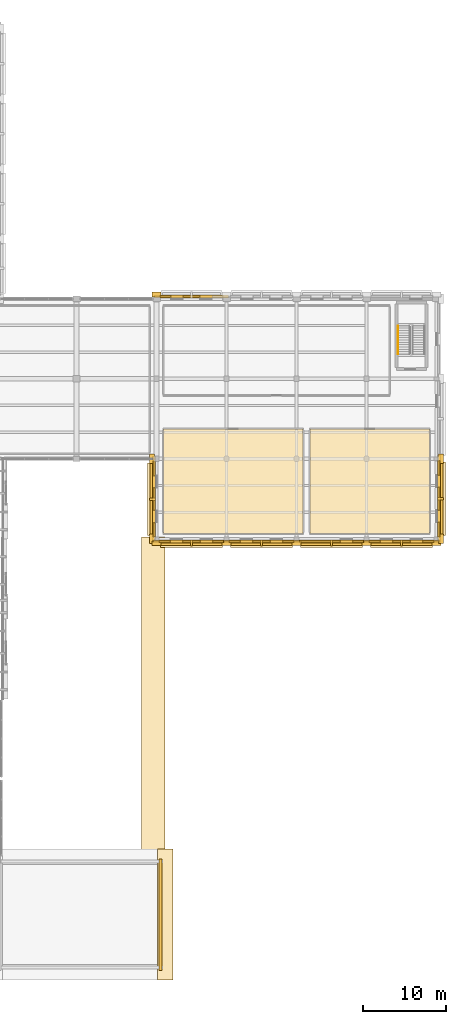
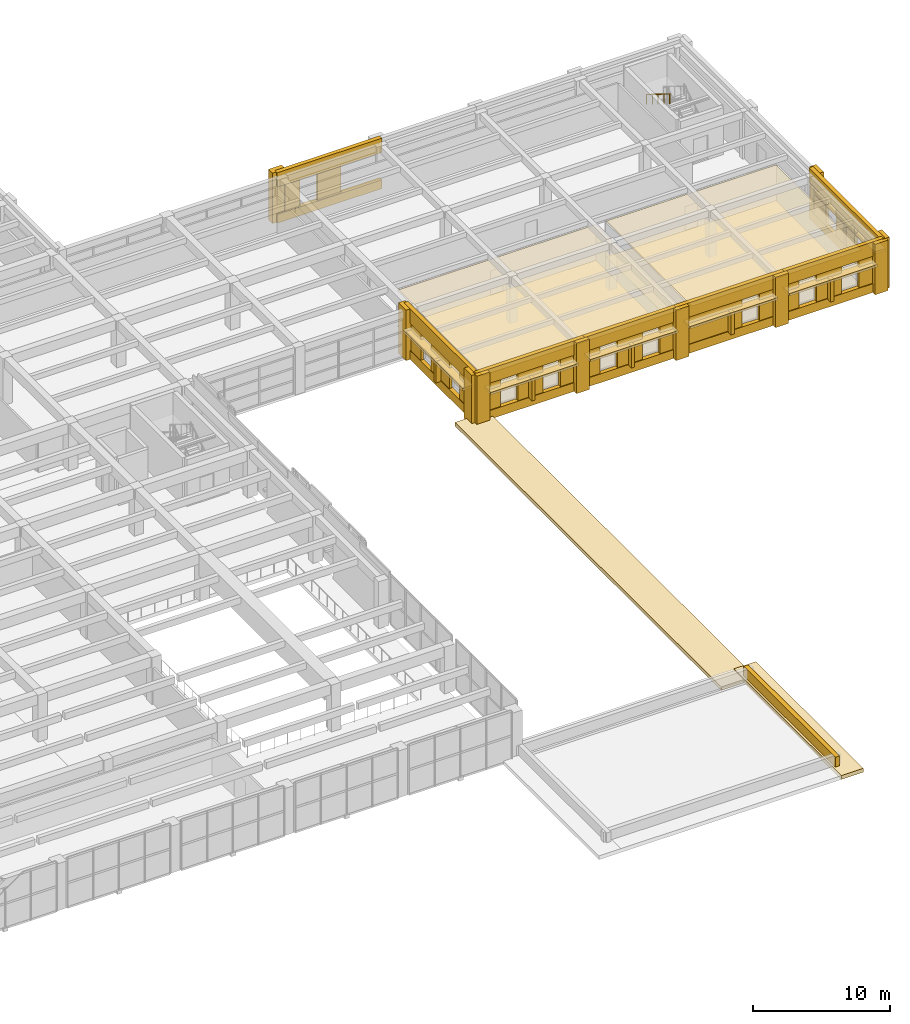
# One storey, part 48 of 49: 62 coverings, 6 shading devices, 1 railing.
"""IFC4 building model written with IfcOpenShell, lengths in metres."""

from ifc_helpers import new_model, si_unit, direction, frame, origin, origin_2d, place, context, subcontext, project, spatial, polyline, rectangle, circle, outline, extrude, material, layer, layer_set, type_object, element, save


model = new_model("IFC4")

# Units and contexts
model_context = context("Model", 3, precision=1e-05, world=origin(), true_north=direction((0.0, 1.0)))
body_context = subcontext(model_context, "Body", "Model", "MODEL_VIEW")
ifc_project = project(units=[si_unit("LENGTHUNIT", "METRE"), si_unit("AREAUNIT", "SQUARE_METRE"), si_unit("VOLUMEUNIT", "CUBIC_METRE"), si_unit("PLANEANGLEUNIT", "RADIAN"), si_unit("MASSUNIT", "GRAM", prefix="KILO")], contexts=[model_context])

# Site, building, storey
site_placement = place(None, origin())
site = spatial("IfcSite", under=ifc_project, at=site_placement, CompositionType="ELEMENT")
building_placement = place(site_placement, origin())
building = spatial("IfcBuilding", under=site, at=building_placement, Name="Bempovik Park Faculty of Sciences", CompositionType="ELEMENT")
storey_placement = place(building_placement, frame((0.0, 0.0, 5.39990234375)))
storey = spatial("IfcBuildingStorey", under=building, at=storey_placement, Name="L01", CompositionType="ELEMENT", Elevation=5.39990234375)

# Coverings
ifc_material_1 = material(Name="Acoustic mineral ceiling tile")
ifc_layer_1 = layer(ifc_material_1, 0.0400390625)
ifc_layer_set_1 = layer_set([ifc_layer_1], Name="Acoustic mineral ceiling tile")
covering_type_1 = type_object("IfcCoveringType", Name="CE-01 Acoustic Ceiling 40mm", PredefinedType="CEILING", material=ifc_layer_set_1)
covering_1_placement = place(storey_placement, frame((0.0, 0.0, 3.18017578125)))
element("IfcCovering", 1, at=covering_1_placement, inside=storey, type_object=covering_type_1, Name="L01 East Wing Seminar Room A Acoustic Ceiling", PredefinedType="CEILING", context=body_context, shape_type="SweptSolid", body=[
    extrude(outline(polyline([(137.6298828125, 58.830078125), (154.3701171875, 58.830078125), (154.3701171875, 71.3701171875), (137.6298828125, 71.3701171875), (137.6298828125, 58.830078125)])), origin(), (0.0, 0.0, 1.0), 0.0400390625),
])
covering_2_placement = place(storey_placement, frame((0.0, 0.0, 3.18017578125)))
element("IfcCovering", 2, at=covering_2_placement, inside=storey, type_object=covering_type_1, Name="L01 East Wing Seminar Room B Acoustic Ceiling", PredefinedType="CEILING", context=body_context, shape_type="SweptSolid", body=[
    extrude(outline(polyline([(155.22998046875, 58.830078125), (169.570068359375, 58.830078125), (169.570068359375, 71.3701171875), (155.22998046875, 71.3701171875), (155.22998046875, 58.830078125)])), origin(), (0.0, 0.0, 1.0), 0.0400390625),
])
ifc_material_2 = material(Name="Precast concrete C40/50", Category="concrete")
ifc_layer_2 = layer(ifc_material_2, 0.179931640625)
ifc_layer_set_2 = layer_set([ifc_layer_2], Name="Precast concrete C40/50")
covering_type_2 = type_object("IfcCoveringType", Name="CL-02 Classical Cornice Band 180mm", PredefinedType="CLADDING", material=ifc_layer_set_2)
covering_3_placement = place(storey_placement, frame((171.0, 63.0, 2.6103515625), z_axis=(0.0, 0.0, 1.0), x_axis=(1.0, 0.0, 0.0)))
element("IfcCovering", 3, at=covering_3_placement, inside=storey, type_object=covering_type_2, Name="L01 Classical Stone Solar Window Hood EW-L01-6857", PredefinedType="CLADDING", context=body_context, shape_type="SweptSolid", body=[
    extrude(rectangle(XDim=0.919921875, YDim=8.785888671875, at=origin_2d()), origin(), (0.0, 0.0, 1.0), 0.219970703125),
])
for number, where, z_axis, x_axis, name in (
    (4, (141.0, 57.60009765625, 2.6103515625), (0.0, 0.0, 1.0), (1.0, 0.0, 0.0), "L01 Classical Stone Solar Window Hood EW-L01-6886"),
    (5, (149.39990234375, 57.60009765625, 2.6103515625), (0.0, 0.0, 1.0), (1.0, 0.0, 0.0), "L01 Classical Stone Solar Window Hood EW-L01-6899"),
    (6, (157.800048828125, 57.60009765625, 2.6103515625), (0.0, 0.0, 1.0), (1.0, 0.0, 0.0), "L01 Classical Stone Solar Window Hood EW-L01-6911"),
    (7, (166.199951171875, 57.60009765625, 2.6103515625), (0.0, 0.0, 1.0), (1.0, 0.0, 0.0), "L01 Classical Stone Solar Window Hood EW-L01-6921"),
):
    element("IfcCovering", number, at=place(storey_placement, frame(where, z_axis=z_axis, x_axis=x_axis)), inside=storey, type_object=covering_type_2, Name=name, PredefinedType="CLADDING", context=body_context, shape_type="SweptSolid", body=[
        extrude(rectangle(XDim=7.426025390625, YDim=0.919921875, at=origin_2d()), origin(), (0.0, 0.0, 1.0), 0.219970703125),
    ])
covering_4_placement = place(storey_placement, frame((136.199951171875, 62.9599609375, 2.6103515625), z_axis=(0.0, 0.0, 1.0), x_axis=(1.0, 0.0, 0.0)))
element("IfcCovering", 8, at=covering_4_placement, inside=storey, type_object=covering_type_2, Name="L01 Classical Stone Solar Window Hood EW-L01-6933", PredefinedType="CLADDING", context=body_context, shape_type="SweptSolid", body=[
    extrude(rectangle(XDim=0.919921875, YDim=8.7060546875, at=origin_2d()), origin(), (0.0, 0.0, 1.0), 0.219970703125),
])
covering_5_placement = place(storey_placement, frame((137.824951171875, 13.10009765625, -0.06982421875), z_axis=(0.0, 0.0, 1.0), x_axis=(1.0, 0.0, 0.0)))
element("IfcCovering", 9, at=covering_5_placement, inside=storey, type_object=covering_type_2, Name="Classical Deep Overhanging Stone Eave COLE-E", PredefinedType="CLADDING", context=body_context, shape_type="SweptSolid", body=[
    extrude(rectangle(XDim=1.85009765625, YDim=15.699951171875, at=origin_2d()), origin(), (0.0, 0.0, 1.0), 0.340087890625),
])
covering_6_placement = place(storey_placement, frame((136.39990234375, 38.949951171875, -0.1201171875), z_axis=(0.0, 0.0, 1.0), x_axis=(1.0, 0.0, 0.0)))
element("IfcCovering", 10, at=covering_6_placement, inside=storey, type_object=covering_type_2, Name="Classical Garden Arcade Deep Stone Eave E", PredefinedType="CLADDING", context=body_context, shape_type="SweptSolid", body=[
    extrude(rectangle(XDim=2.800048828125, YDim=38.89990234375, at=origin_2d()), origin(), (0.0, 0.0, 1.0), 0.320068359375),
])
ifc_material_3 = material(Name="White reconstituted limestone precast C40/50", Category="masonry")
ifc_layer_3 = layer(ifc_material_3, 0.239990234375)
ifc_layer_set_3 = layer_set([ifc_layer_3], Name="White reconstituted limestone precast C40/50")
covering_type_3 = type_object("IfcCoveringType", Name="CL-03 Classical Fluted Limestone Pilaster 240mm", PredefinedType="CLADDING", material=ifc_layer_set_3)
covering_7_placement = place(storey_placement, frame((141.0, 87.280029296875, 3.22021484375), z_axis=(0.0, 0.0, 1.0), x_axis=(1.0, 0.0, 0.0)))
element("IfcCovering", 11, at=covering_7_placement, inside=storey, type_object=covering_type_3, Name="L01 Classical Limestone Spandrel Entablature EW-L01-6810", PredefinedType="CLADDING", context=body_context, shape_type="SweptSolid", body=[
    extrude(rectangle(XDim=8.845947265625, YDim=0.340087890625, at=origin_2d()), origin(), (0.0, 0.0, 1.0), 1.280029296875),
])
covering_8_placement = place(storey_placement, frame((141.0, 87.280029296875, 0.0), z_axis=(0.0, 0.0, 1.0), x_axis=(1.0, 0.0, 0.0)))
element("IfcCovering", 12, at=covering_8_placement, inside=storey, type_object=covering_type_3, Name="L01 Classical Limestone Sill Dado EW-L01-6810", PredefinedType="CLADDING", context=body_context, shape_type="SweptSolid", body=[
    extrude(rectangle(XDim=8.845947265625, YDim=0.340087890625, at=origin_2d()), origin(), (0.0, 0.0, 1.0), 0.780029296875),
])
covering_9_placement = place(storey_placement, frame((136.800048828125, 87.530029296875, 0.0), z_axis=(0.0, 0.0, 1.0), x_axis=(1.0, 0.0, 0.0)))
element("IfcCovering", 13, at=covering_9_placement, inside=storey, type_object=covering_type_3, Name="L01 Classical Fluted Stone Pilaster PIL-BA-L01-1368-875", PredefinedType="CLADDING", context=body_context, shape_type="SweptSolid", body=[
    extrude(rectangle(XDim=1.10009765625, YDim=0.580078125, at=origin_2d()), origin(), (0.0, 0.0, 1.0), 4.5),
])
covering_10_placement = place(storey_placement, frame((137.89404296875, 87.27001953125, 0.000244140625), z_axis=(0.0, 0.0, 1.0), x_axis=(1.0, 0.0, 0.0)))
element("IfcCovering", 14, at=covering_10_placement, inside=storey, type_object=covering_type_3, Name="L01 White Limestone Wall Cheek EW-L01-6810-0", PredefinedType="CLADDING", context=body_context, shape_type="SweptSolid", body=[
    extrude(rectangle(XDim=1.283935546875, YDim=0.239990234375, at=origin_2d()), origin(), (0.0, 0.0, 1.0), 3.3798828125),
])
covering_11_placement = place(storey_placement, frame((141.0, 87.27001953125, 0.000244140625), z_axis=(0.0, 0.0, 1.0), x_axis=(1.0, 0.0, 0.0)))
element("IfcCovering", 15, at=covering_11_placement, inside=storey, type_object=covering_type_3, Name="L01 White Limestone Wall Cheek EW-L01-6810-2", PredefinedType="CLADDING", context=body_context, shape_type="SweptSolid", body=[
    extrude(rectangle(XDim=1.96826171875, YDim=0.239990234375, at=origin_2d()), origin(), (0.0, 0.0, 1.0), 3.3798828125),
])
covering_12_placement = place(storey_placement, frame((170.7099609375, 63.0, 3.22021484375), z_axis=(0.0, 0.0, 1.0), x_axis=(1.0, 0.0, 0.0)))
element("IfcCovering", 16, at=covering_12_placement, inside=storey, type_object=covering_type_3, Name="L01 Classical Limestone Spandrel Entablature EW-L01-6857", PredefinedType="CLADDING", context=body_context, shape_type="SweptSolid", body=[
    extrude(rectangle(XDim=0.340087890625, YDim=10.486083984375, at=origin_2d()), origin(), (0.0, 0.0, 1.0), 1.280029296875),
])
covering_13_placement = place(storey_placement, frame((170.7099609375, 63.0, 0.0), z_axis=(0.0, 0.0, 1.0), x_axis=(1.0, 0.0, 0.0)))
element("IfcCovering", 17, at=covering_13_placement, inside=storey, type_object=covering_type_3, Name="L01 Classical Limestone Sill Dado EW-L01-6857", PredefinedType="CLADDING", context=body_context, shape_type="SweptSolid", body=[
    extrude(rectangle(XDim=0.340087890625, YDim=10.486083984375, at=origin_2d()), origin(), (0.0, 0.0, 1.0), 0.780029296875),
])
for number, where, z_axis, x_axis, name in (
    (18, (170.929931640625, 58.199951171875, 0.0), (0.0, 0.0, 1.0), (1.0, 0.0, 0.0), "L01 Classical Fluted Stone Pilaster PIL-BA-L01-1709-582"),
    (19, (170.929931640625, 67.800048828125, 0.0), (0.0, 0.0, 1.0), (1.0, 0.0, 0.0), "L01 Classical Fluted Stone Pilaster PIL-BA-L01-1709-678"),
):
    element("IfcCovering", number, at=place(storey_placement, frame(where, z_axis=z_axis, x_axis=x_axis)), inside=storey, type_object=covering_type_3, Name=name, PredefinedType="CLADDING", context=body_context, shape_type="SweptSolid", body=[
        extrude(rectangle(XDim=0.580078125, YDim=1.10009765625, at=origin_2d()), origin(), (0.0, 0.0, 1.0), 4.5),
    ])
covering_14_placement = place(storey_placement, frame((170.699951171875, 59.29541015625, 0.000244140625), z_axis=(0.0, 0.0, 1.0), x_axis=(1.0, 0.0, 0.0)))
element("IfcCovering", 20, at=covering_14_placement, inside=storey, type_object=covering_type_3, Name="L01 White Limestone Wall Cheek EW-L01-6857-0", PredefinedType="CLADDING", context=body_context, shape_type="SweptSolid", body=[
    extrude(rectangle(XDim=0.239990234375, YDim=1.726806640625, at=origin_2d()), origin(), (0.0, 0.0, 1.0), 3.3798828125),
])
covering_15_placement = place(storey_placement, frame((170.699951171875, 63.0, 0.000244140625), z_axis=(0.0, 0.0, 1.0), x_axis=(1.0, 0.0, 0.0)))
element("IfcCovering", 21, at=covering_15_placement, inside=storey, type_object=covering_type_3, Name="L01 White Limestone Wall Cheek EW-L01-6857-2", PredefinedType="CLADDING", context=body_context, shape_type="SweptSolid", body=[
    extrude(rectangle(XDim=0.239990234375, YDim=2.72265625, at=origin_2d()), origin(), (0.0, 0.0, 1.0), 3.3798828125),
])
covering_16_placement = place(storey_placement, frame((170.699951171875, 66.70458984375, 0.000244140625), z_axis=(0.0, 0.0, 1.0), x_axis=(1.0, 0.0, 0.0)))
element("IfcCovering", 22, at=covering_16_placement, inside=storey, type_object=covering_type_3, Name="L01 White Limestone Wall Cheek EW-L01-6857-4", PredefinedType="CLADDING", context=body_context, shape_type="SweptSolid", body=[
    extrude(rectangle(XDim=0.239990234375, YDim=1.726806640625, at=origin_2d()), origin(), (0.0, 0.0, 1.0), 3.3798828125),
])
covering_17_placement = place(storey_placement, frame((170.909912109375, 63.0, 0.7001953125), z_axis=(0.0, 0.0, 1.0), x_axis=(1.0, 0.0, 0.0)))
element("IfcCovering", 23, at=covering_17_placement, inside=storey, type_object=covering_type_3, Name="L01 Classical Vertical Stone Shading Fin EW-L01-6857", PredefinedType="CLADDING", context=body_context, shape_type="SweptSolid", body=[
    extrude(rectangle(XDim=0.719970703125, YDim=0.280029296875, at=origin_2d()), origin(), (0.0, 0.0, 1.0), 1.949951171875),
])
covering_18_placement = place(storey_placement, frame((141.0, 57.889892578125, 3.22021484375), z_axis=(0.0, 0.0, 1.0), x_axis=(1.0, 0.0, 0.0)))
element("IfcCovering", 24, at=covering_18_placement, inside=storey, type_object=covering_type_3, Name="L01 Classical Limestone Spandrel Entablature EW-L01-6886", PredefinedType="CLADDING", context=body_context, shape_type="SweptSolid", body=[
    extrude(rectangle(XDim=9.1259765625, YDim=0.340087890625, at=origin_2d()), origin(), (0.0, 0.0, 1.0), 1.280029296875),
])
covering_19_placement = place(storey_placement, frame((141.0, 57.889892578125, 0.0), z_axis=(0.0, 0.0, 1.0), x_axis=(1.0, 0.0, 0.0)))
element("IfcCovering", 25, at=covering_19_placement, inside=storey, type_object=covering_type_3, Name="L01 Classical Limestone Sill Dado EW-L01-6886", PredefinedType="CLADDING", context=body_context, shape_type="SweptSolid", body=[
    extrude(rectangle(XDim=9.1259765625, YDim=0.340087890625, at=origin_2d()), origin(), (0.0, 0.0, 1.0), 0.780029296875),
])
for number, where, z_axis, x_axis, name in (
    (26, (136.800048828125, 57.669921875, 0.0), (0.0, 0.0, 1.0), (1.0, 0.0, 0.0), "L01 Classical Fluted Stone Pilaster PIL-BA-L01-1368-577"),
    (27, (145.199951171875, 57.669921875, 0.0), (0.0, 0.0, 1.0), (1.0, 0.0, 0.0), "L01 Classical Fluted Stone Pilaster PIL-BA-L01-1452-577"),
):
    element("IfcCovering", number, at=place(storey_placement, frame(where, z_axis=z_axis, x_axis=x_axis)), inside=storey, type_object=covering_type_3, Name=name, PredefinedType="CLADDING", context=body_context, shape_type="SweptSolid", body=[
        extrude(rectangle(XDim=1.10009765625, YDim=0.580078125, at=origin_2d()), origin(), (0.0, 0.0, 1.0), 4.5),
    ])
covering_20_placement = place(storey_placement, frame((137.791748046875, 57.89990234375, 0.000244140625), z_axis=(0.0, 0.0, 1.0), x_axis=(1.0, 0.0, 0.0)))
element("IfcCovering", 28, at=covering_20_placement, inside=storey, type_object=covering_type_3, Name="L01 White Limestone Wall Cheek EW-L01-6886-0", PredefinedType="CLADDING", context=body_context, shape_type="SweptSolid", body=[
    extrude(rectangle(XDim=1.359619140625, YDim=0.239990234375, at=origin_2d()), origin(), (0.0, 0.0, 1.0), 3.3798828125),
])
covering_21_placement = place(storey_placement, frame((141.0, 57.89990234375, 0.000244140625), z_axis=(0.0, 0.0, 1.0), x_axis=(1.0, 0.0, 0.0)))
element("IfcCovering", 29, at=covering_21_placement, inside=storey, type_object=covering_type_3, Name="L01 White Limestone Wall Cheek EW-L01-6886-2", PredefinedType="CLADDING", context=body_context, shape_type="SweptSolid", body=[
    extrude(rectangle(XDim=2.096923828125, YDim=0.239990234375, at=origin_2d()), origin(), (0.0, 0.0, 1.0), 3.3798828125),
])
covering_22_placement = place(storey_placement, frame((144.208251953125, 57.89990234375, 0.000244140625), z_axis=(0.0, 0.0, 1.0), x_axis=(1.0, 0.0, 0.0)))
element("IfcCovering", 30, at=covering_22_placement, inside=storey, type_object=covering_type_3, Name="L01 White Limestone Wall Cheek EW-L01-6886-4", PredefinedType="CLADDING", context=body_context, shape_type="SweptSolid", body=[
    extrude(rectangle(XDim=1.359619140625, YDim=0.239990234375, at=origin_2d()), origin(), (0.0, 0.0, 1.0), 3.3798828125),
])
covering_23_placement = place(storey_placement, frame((141.0, 57.68994140625, 0.7001953125), z_axis=(0.0, 0.0, 1.0), x_axis=(1.0, 0.0, 0.0)))
element("IfcCovering", 31, at=covering_23_placement, inside=storey, type_object=covering_type_3, Name="L01 Classical Vertical Stone Shading Fin EW-L01-6886", PredefinedType="CLADDING", context=body_context, shape_type="SweptSolid", body=[
    extrude(rectangle(XDim=0.280029296875, YDim=0.719970703125, at=origin_2d()), origin(), (0.0, 0.0, 1.0), 1.949951171875),
])
covering_24_placement = place(storey_placement, frame((149.39990234375, 57.889892578125, 3.22021484375), z_axis=(0.0, 0.0, 1.0), x_axis=(1.0, 0.0, 0.0)))
element("IfcCovering", 32, at=covering_24_placement, inside=storey, type_object=covering_type_3, Name="L01 Classical Limestone Spandrel Entablature EW-L01-6899", PredefinedType="CLADDING", context=body_context, shape_type="SweptSolid", body=[
    extrude(rectangle(XDim=9.1259765625, YDim=0.340087890625, at=origin_2d()), origin(), (0.0, 0.0, 1.0), 1.280029296875),
])
covering_25_placement = place(storey_placement, frame((149.39990234375, 57.889892578125, 0.0), z_axis=(0.0, 0.0, 1.0), x_axis=(1.0, 0.0, 0.0)))
element("IfcCovering", 33, at=covering_25_placement, inside=storey, type_object=covering_type_3, Name="L01 Classical Limestone Sill Dado EW-L01-6899", PredefinedType="CLADDING", context=body_context, shape_type="SweptSolid", body=[
    extrude(rectangle(XDim=9.1259765625, YDim=0.340087890625, at=origin_2d()), origin(), (0.0, 0.0, 1.0), 0.780029296875),
])
covering_26_placement = place(storey_placement, frame((153.60009765625, 57.669921875, 0.0), z_axis=(0.0, 0.0, 1.0), x_axis=(1.0, 0.0, 0.0)))
element("IfcCovering", 34, at=covering_26_placement, inside=storey, type_object=covering_type_3, Name="L01 Classical Fluted Stone Pilaster PIL-BA-L01-1536-577", PredefinedType="CLADDING", context=body_context, shape_type="SweptSolid", body=[
    extrude(rectangle(XDim=1.10009765625, YDim=0.580078125, at=origin_2d()), origin(), (0.0, 0.0, 1.0), 4.5),
])
covering_27_placement = place(storey_placement, frame((146.19189453125, 57.89990234375, 0.000244140625), z_axis=(0.0, 0.0, 1.0), x_axis=(1.0, 0.0, 0.0)))
element("IfcCovering", 35, at=covering_27_placement, inside=storey, type_object=covering_type_3, Name="L01 White Limestone Wall Cheek EW-L01-6899-0", PredefinedType="CLADDING", context=body_context, shape_type="SweptSolid", body=[
    extrude(rectangle(XDim=1.359619140625, YDim=0.239990234375, at=origin_2d()), origin(), (0.0, 0.0, 1.0), 3.3798828125),
])
covering_28_placement = place(storey_placement, frame((149.39990234375, 57.89990234375, 0.000244140625), z_axis=(0.0, 0.0, 1.0), x_axis=(1.0, 0.0, 0.0)))
element("IfcCovering", 36, at=covering_28_placement, inside=storey, type_object=covering_type_3, Name="L01 White Limestone Wall Cheek EW-L01-6899-2", PredefinedType="CLADDING", context=body_context, shape_type="SweptSolid", body=[
    extrude(rectangle(XDim=2.096923828125, YDim=0.239990234375, at=origin_2d()), origin(), (0.0, 0.0, 1.0), 3.3798828125),
])
covering_29_placement = place(storey_placement, frame((152.608154296875, 57.89990234375, 0.000244140625), z_axis=(0.0, 0.0, 1.0), x_axis=(1.0, 0.0, 0.0)))
element("IfcCovering", 37, at=covering_29_placement, inside=storey, type_object=covering_type_3, Name="L01 White Limestone Wall Cheek EW-L01-6899-4", PredefinedType="CLADDING", context=body_context, shape_type="SweptSolid", body=[
    extrude(rectangle(XDim=1.359619140625, YDim=0.239990234375, at=origin_2d()), origin(), (0.0, 0.0, 1.0), 3.3798828125),
])
covering_30_placement = place(storey_placement, frame((149.39990234375, 57.68994140625, 0.7001953125), z_axis=(0.0, 0.0, 1.0), x_axis=(1.0, 0.0, 0.0)))
element("IfcCovering", 38, at=covering_30_placement, inside=storey, type_object=covering_type_3, Name="L01 Classical Vertical Stone Shading Fin EW-L01-6899", PredefinedType="CLADDING", context=body_context, shape_type="SweptSolid", body=[
    extrude(rectangle(XDim=0.280029296875, YDim=0.719970703125, at=origin_2d()), origin(), (0.0, 0.0, 1.0), 1.949951171875),
])
covering_31_placement = place(storey_placement, frame((157.800048828125, 57.889892578125, 3.22021484375), z_axis=(0.0, 0.0, 1.0), x_axis=(1.0, 0.0, 0.0)))
element("IfcCovering", 39, at=covering_31_placement, inside=storey, type_object=covering_type_3, Name="L01 Classical Limestone Spandrel Entablature EW-L01-6911", PredefinedType="CLADDING", context=body_context, shape_type="SweptSolid", body=[
    extrude(rectangle(XDim=9.1259765625, YDim=0.340087890625, at=origin_2d()), origin(), (0.0, 0.0, 1.0), 1.280029296875),
])
covering_32_placement = place(storey_placement, frame((157.800048828125, 57.889892578125, 0.0), z_axis=(0.0, 0.0, 1.0), x_axis=(1.0, 0.0, 0.0)))
element("IfcCovering", 40, at=covering_32_placement, inside=storey, type_object=covering_type_3, Name="L01 Classical Limestone Sill Dado EW-L01-6911", PredefinedType="CLADDING", context=body_context, shape_type="SweptSolid", body=[
    extrude(rectangle(XDim=9.1259765625, YDim=0.340087890625, at=origin_2d()), origin(), (0.0, 0.0, 1.0), 0.780029296875),
])
covering_33_placement = place(storey_placement, frame((162.0, 57.669921875, 0.0), z_axis=(0.0, 0.0, 1.0), x_axis=(1.0, 0.0, 0.0)))
element("IfcCovering", 41, at=covering_33_placement, inside=storey, type_object=covering_type_3, Name="L01 Classical Fluted Stone Pilaster PIL-BA-L01-1620-577", PredefinedType="CLADDING", context=body_context, shape_type="SweptSolid", body=[
    extrude(rectangle(XDim=1.10009765625, YDim=0.580078125, at=origin_2d()), origin(), (0.0, 0.0, 1.0), 4.5),
])
covering_34_placement = place(storey_placement, frame((156.38037109375, 57.89990234375, 0.000244140625), z_axis=(0.0, 0.0, 1.0), x_axis=(1.0, 0.0, 0.0)))
element("IfcCovering", 42, at=covering_34_placement, inside=storey, type_object=covering_type_3, Name="L01 White Limestone Wall Cheek EW-L01-6911-0", PredefinedType="CLADDING", context=body_context, shape_type="SweptSolid", body=[
    extrude(rectangle(XDim=4.9365234375, YDim=0.239990234375, at=origin_2d()), origin(), (0.0, 0.0, 1.0), 3.3798828125),
])
covering_35_placement = place(storey_placement, frame((161.00830078125, 57.89990234375, 0.000244140625), z_axis=(0.0, 0.0, 1.0), x_axis=(1.0, 0.0, 0.0)))
element("IfcCovering", 43, at=covering_35_placement, inside=storey, type_object=covering_type_3, Name="L01 White Limestone Wall Cheek EW-L01-6911-2", PredefinedType="CLADDING", context=body_context, shape_type="SweptSolid", body=[
    extrude(rectangle(XDim=1.359619140625, YDim=0.239990234375, at=origin_2d()), origin(), (0.0, 0.0, 1.0), 3.3798828125),
])
covering_36_placement = place(storey_placement, frame((157.800048828125, 57.68994140625, 0.7001953125), z_axis=(0.0, 0.0, 1.0), x_axis=(1.0, 0.0, 0.0)))
element("IfcCovering", 44, at=covering_36_placement, inside=storey, type_object=covering_type_3, Name="L01 Classical Vertical Stone Shading Fin EW-L01-6911", PredefinedType="CLADDING", context=body_context, shape_type="SweptSolid", body=[
    extrude(rectangle(XDim=0.280029296875, YDim=0.719970703125, at=origin_2d()), origin(), (0.0, 0.0, 1.0), 1.949951171875),
])
covering_37_placement = place(storey_placement, frame((166.199951171875, 57.889892578125, 3.22021484375), z_axis=(0.0, 0.0, 1.0), x_axis=(1.0, 0.0, 0.0)))
element("IfcCovering", 45, at=covering_37_placement, inside=storey, type_object=covering_type_3, Name="L01 Classical Limestone Spandrel Entablature EW-L01-6921", PredefinedType="CLADDING", context=body_context, shape_type="SweptSolid", body=[
    extrude(rectangle(XDim=9.1259765625, YDim=0.340087890625, at=origin_2d()), origin(), (0.0, 0.0, 1.0), 1.280029296875),
])
covering_38_placement = place(storey_placement, frame((166.199951171875, 57.889892578125, 0.0), z_axis=(0.0, 0.0, 1.0), x_axis=(1.0, 0.0, 0.0)))
element("IfcCovering", 46, at=covering_38_placement, inside=storey, type_object=covering_type_3, Name="L01 Classical Limestone Sill Dado EW-L01-6921", PredefinedType="CLADDING", context=body_context, shape_type="SweptSolid", body=[
    extrude(rectangle(XDim=9.1259765625, YDim=0.340087890625, at=origin_2d()), origin(), (0.0, 0.0, 1.0), 0.780029296875),
])
covering_39_placement = place(storey_placement, frame((170.39990234375, 57.669921875, 0.0), z_axis=(0.0, 0.0, 1.0), x_axis=(1.0, 0.0, 0.0)))
element("IfcCovering", 47, at=covering_39_placement, inside=storey, type_object=covering_type_3, Name="L01 Classical Fluted Stone Pilaster PIL-BA-L01-1704-577", PredefinedType="CLADDING", context=body_context, shape_type="SweptSolid", body=[
    extrude(rectangle(XDim=1.10009765625, YDim=0.580078125, at=origin_2d()), origin(), (0.0, 0.0, 1.0), 4.5),
])
covering_40_placement = place(storey_placement, frame((162.99169921875, 57.89990234375, 0.000244140625), z_axis=(0.0, 0.0, 1.0), x_axis=(1.0, 0.0, 0.0)))
element("IfcCovering", 48, at=covering_40_placement, inside=storey, type_object=covering_type_3, Name="L01 White Limestone Wall Cheek EW-L01-6921-0", PredefinedType="CLADDING", context=body_context, shape_type="SweptSolid", body=[
    extrude(rectangle(XDim=1.359619140625, YDim=0.239990234375, at=origin_2d()), origin(), (0.0, 0.0, 1.0), 3.3798828125),
])
covering_41_placement = place(storey_placement, frame((166.199951171875, 57.89990234375, 0.000244140625), z_axis=(0.0, 0.0, 1.0), x_axis=(1.0, 0.0, 0.0)))
element("IfcCovering", 49, at=covering_41_placement, inside=storey, type_object=covering_type_3, Name="L01 White Limestone Wall Cheek EW-L01-6921-2", PredefinedType="CLADDING", context=body_context, shape_type="SweptSolid", body=[
    extrude(rectangle(XDim=2.096923828125, YDim=0.239990234375, at=origin_2d()), origin(), (0.0, 0.0, 1.0), 3.3798828125),
])
covering_42_placement = place(storey_placement, frame((169.408203125, 57.89990234375, 0.000244140625), z_axis=(0.0, 0.0, 1.0), x_axis=(1.0, 0.0, 0.0)))
element("IfcCovering", 50, at=covering_42_placement, inside=storey, type_object=covering_type_3, Name="L01 White Limestone Wall Cheek EW-L01-6921-4", PredefinedType="CLADDING", context=body_context, shape_type="SweptSolid", body=[
    extrude(rectangle(XDim=1.359619140625, YDim=0.239990234375, at=origin_2d()), origin(), (0.0, 0.0, 1.0), 3.3798828125),
])
covering_43_placement = place(storey_placement, frame((166.199951171875, 57.68994140625, 0.7001953125), z_axis=(0.0, 0.0, 1.0), x_axis=(1.0, 0.0, 0.0)))
element("IfcCovering", 51, at=covering_43_placement, inside=storey, type_object=covering_type_3, Name="L01 Classical Vertical Stone Shading Fin EW-L01-6921", PredefinedType="CLADDING", context=body_context, shape_type="SweptSolid", body=[
    extrude(rectangle(XDim=0.280029296875, YDim=0.719970703125, at=origin_2d()), origin(), (0.0, 0.0, 1.0), 1.949951171875),
])
covering_44_placement = place(storey_placement, frame((136.489990234375, 62.9599609375, 3.22021484375), z_axis=(0.0, 0.0, 1.0), x_axis=(1.0, 0.0, 0.0)))
element("IfcCovering", 52, at=covering_44_placement, inside=storey, type_object=covering_type_3, Name="L01 Classical Limestone Spandrel Entablature EW-L01-6933", PredefinedType="CLADDING", context=body_context, shape_type="SweptSolid", body=[
    extrude(rectangle(XDim=0.340087890625, YDim=10.406005859375, at=origin_2d()), origin(), (0.0, 0.0, 1.0), 1.280029296875),
])
covering_45_placement = place(storey_placement, frame((136.489990234375, 62.9599609375, 0.0), z_axis=(0.0, 0.0, 1.0), x_axis=(1.0, 0.0, 0.0)))
element("IfcCovering", 53, at=covering_45_placement, inside=storey, type_object=covering_type_3, Name="L01 Classical Limestone Sill Dado EW-L01-6933", PredefinedType="CLADDING", context=body_context, shape_type="SweptSolid", body=[
    extrude(rectangle(XDim=0.340087890625, YDim=10.406005859375, at=origin_2d()), origin(), (0.0, 0.0, 1.0), 0.780029296875),
])
for number, where, z_axis, x_axis, name in (
    (54, (136.27001953125, 58.199951171875, 0.0), (0.0, 0.0, 1.0), (1.0, 0.0, 0.0), "L01 Classical Fluted Stone Pilaster PIL-BA-L01-1363-582"),
    (55, (136.27001953125, 67.800048828125, 0.0), (0.0, 0.0, 1.0), (1.0, 0.0, 0.0), "L01 Classical Fluted Stone Pilaster PIL-BA-L01-1363-678"),
):
    element("IfcCovering", number, at=place(storey_placement, frame(where, z_axis=z_axis, x_axis=x_axis)), inside=storey, type_object=covering_type_3, Name=name, PredefinedType="CLADDING", context=body_context, shape_type="SweptSolid", body=[
        extrude(rectangle(XDim=0.580078125, YDim=1.10009765625, at=origin_2d()), origin(), (0.0, 0.0, 1.0), 4.5),
    ])
covering_46_placement = place(storey_placement, frame((136.5, 59.28466796875, 0.000244140625), z_axis=(0.0, 0.0, 1.0), x_axis=(1.0, 0.0, 0.0)))
element("IfcCovering", 56, at=covering_46_placement, inside=storey, type_object=covering_type_3, Name="L01 White Limestone Wall Cheek EW-L01-6933-0", PredefinedType="CLADDING", context=body_context, shape_type="SweptSolid", body=[
    extrude(rectangle(XDim=0.239990234375, YDim=1.705078125, at=origin_2d()), origin(), (0.0, 0.0, 1.0), 3.3798828125),
])
covering_47_placement = place(storey_placement, frame((136.5, 62.9599609375, 0.000244140625), z_axis=(0.0, 0.0, 1.0), x_axis=(1.0, 0.0, 0.0)))
element("IfcCovering", 57, at=covering_47_placement, inside=storey, type_object=covering_type_3, Name="L01 White Limestone Wall Cheek EW-L01-6933-2", PredefinedType="CLADDING", context=body_context, shape_type="SweptSolid", body=[
    extrude(rectangle(XDim=0.239990234375, YDim=2.685791015625, at=origin_2d()), origin(), (0.0, 0.0, 1.0), 3.3798828125),
])
covering_48_placement = place(storey_placement, frame((136.5, 66.635498046875, 0.000244140625), z_axis=(0.0, 0.0, 1.0), x_axis=(1.0, 0.0, 0.0)))
element("IfcCovering", 58, at=covering_48_placement, inside=storey, type_object=covering_type_3, Name="L01 White Limestone Wall Cheek EW-L01-6933-4", PredefinedType="CLADDING", context=body_context, shape_type="SweptSolid", body=[
    extrude(rectangle(XDim=0.239990234375, YDim=1.705078125, at=origin_2d()), origin(), (0.0, 0.0, 1.0), 3.3798828125),
])
covering_49_placement = place(storey_placement, frame((136.2900390625, 62.9599609375, 0.7001953125), z_axis=(0.0, 0.0, 1.0), x_axis=(1.0, 0.0, 0.0)))
element("IfcCovering", 59, at=covering_49_placement, inside=storey, type_object=covering_type_3, Name="L01 Classical Vertical Stone Shading Fin EW-L01-6933", PredefinedType="CLADDING", context=body_context, shape_type="SweptSolid", body=[
    extrude(rectangle(XDim=0.719970703125, YDim=0.280029296875, at=origin_2d()), origin(), (0.0, 0.0, 1.0), 1.949951171875),
])
covering_50_placement = place(storey_placement, frame((137.25, 13.10009765625, 0.10498046875), z_axis=(0.0, 0.0, 1.0), x_axis=(1.0, 0.0, 0.0)))
element("IfcCovering", 60, at=covering_50_placement, inside=storey, type_object=covering_type_3, Name="White Limestone Attic Fascia COLE-E", PredefinedType="CLADDING", context=body_context, shape_type="SweptSolid", body=[
    extrude(rectangle(XDim=0.360107421875, YDim=13.39990234375, at=origin_2d()), origin(), (0.0, 0.0, 1.0), 1.050048828125),
])
ifc_material_4 = material(Name="Polished mineral terrazzo flooring")
ifc_layer_4 = layer(ifc_material_4, 0.030029296875)
ifc_layer_set_4 = layer_set([ifc_layer_4], Name="Polished mineral terrazzo flooring")
covering_type_4 = type_object("IfcCoveringType", Name="FL-01 Terrazzo Flooring 30mm", PredefinedType="FLOORING", material=ifc_layer_set_4)
covering_51_placement = place(storey_placement, origin())
element("IfcCovering", 61, at=covering_51_placement, inside=storey, type_object=covering_type_4, Name="L01 East Wing Seminar Room A Terrazzo Flooring", PredefinedType="FLOORING", context=body_context, shape_type="SweptSolid", body=[
    extrude(outline(polyline([(137.6298828125, 58.830078125), (154.3701171875, 58.830078125), (154.3701171875, 71.3701171875), (137.6298828125, 71.3701171875), (137.6298828125, 58.830078125)])), origin(), (0.0, 0.0, 1.0), 0.030029296875),
])
covering_52_placement = place(storey_placement, origin())
element("IfcCovering", 62, at=covering_52_placement, inside=storey, type_object=covering_type_4, Name="L01 East Wing Seminar Room B Terrazzo Flooring", PredefinedType="FLOORING", context=body_context, shape_type="SweptSolid", body=[
    extrude(outline(polyline([(155.22998046875, 58.830078125), (169.570068359375, 58.830078125), (169.570068359375, 71.3701171875), (155.22998046875, 71.3701171875), (155.22998046875, 58.830078125)])), origin(), (0.0, 0.0, 1.0), 0.030029296875),
])

# Railing
ifc_material_5 = material(Name="Anodised architectural bronze")
railing_type = type_object("IfcRailingType", Name="HR-01 Wall Handrail 900mm", PredefinedType="HANDRAIL", material=ifc_material_5)
railing_placement = place(storey_placement, frame((165.800048828125, 83.75, 2.423095703125)))
element("IfcRailing", 63, at=railing_placement, inside=storey, type_object=railing_type, Name="L01 ST-6 Stair Handrail 2", PredefinedType="HANDRAIL", context=body_context, shape_type="SweptSolid", body=[
    extrude(circle(Radius=0.02392578125, at=origin_2d()), frame((0.0, 0.0, 0.8759765625), z_axis=(0.0, -0.851660431972, 0.524093988338), x_axis=(1.0, 0.0, 0.0)), (0.0, 0.0, 1.0), 3.962890625),
    extrude(circle(Radius=0.02099609375, at=origin_2d()), origin(), (0.0, 0.0, 1.0), 0.851806640625),
    extrude(circle(Radius=0.02099609375, at=origin_2d()), frame((0.0, -0.84375, 0.519287109375)), (0.0, 0.0, 1.0), 0.851806640625),
    extrude(circle(Radius=0.02099609375, at=origin_2d()), frame((0.0, -1.6875, 1.03857421875)), (0.0, 0.0, 1.0), 0.851806640625),
    extrude(circle(Radius=0.02099609375, at=origin_2d()), frame((0.0, -2.53125, 1.5576171875)), (0.0, 0.0, 1.0), 0.851806640625),
    extrude(circle(Radius=0.02099609375, at=origin_2d()), frame((0.0, -3.375, 2.076904296875)), (0.0, 0.0, 1.0), 0.851806640625),
])

# Shading devices
ifc_layer_5 = layer(ifc_material_5, 0.06005859375)
ifc_layer_set_5 = layer_set([ifc_layer_5], Name="Anodised architectural bronze")
shading_device_type = type_object("IfcShadingDeviceType", Name="SH-01 Bronze Brise-Soleil Fin", PredefinedType="USERDEFINED", material=ifc_layer_set_5)
shading_device_1_placement = place(storey_placement, frame((170.8798828125, 63.0, 2.550048828125), z_axis=(0.0, 0.0, 1.0), x_axis=(1.0, 0.0, 0.0)))
element("IfcShadingDevice", 64, at=shading_device_1_placement, inside=storey, type_object=shading_device_type, Name="L01 Equatorial Bronze Brise-Soleil EW-L01-6857", ObjectType="BRISE SOLEIL", PredefinedType="USERDEFINED", context=body_context, shape_type="SweptSolid", body=[
    extrude(rectangle(XDim=0.64990234375, YDim=8.635986328125, at=origin_2d()), origin(), (0.0, 0.0, 1.0), 0.06005859375),
])
for number, where, z_axis, x_axis, name in (
    (65, (141.0, 57.719970703125, 2.550048828125), (0.0, 0.0, 1.0), (1.0, 0.0, 0.0), "L01 Equatorial Bronze Brise-Soleil EW-L01-6886"),
    (66, (149.39990234375, 57.719970703125, 2.550048828125), (0.0, 0.0, 1.0), (1.0, 0.0, 0.0), "L01 Equatorial Bronze Brise-Soleil EW-L01-6899"),
    (67, (157.800048828125, 57.719970703125, 2.550048828125), (0.0, 0.0, 1.0), (1.0, 0.0, 0.0), "L01 Equatorial Bronze Brise-Soleil EW-L01-6911"),
    (68, (166.199951171875, 57.719970703125, 2.550048828125), (0.0, 0.0, 1.0), (1.0, 0.0, 0.0), "L01 Equatorial Bronze Brise-Soleil EW-L01-6921"),
):
    element("IfcShadingDevice", number, at=place(storey_placement, frame(where, z_axis=z_axis, x_axis=x_axis)), inside=storey, type_object=shading_device_type, Name=name, ObjectType="BRISE SOLEIL", PredefinedType="USERDEFINED", context=body_context, shape_type="SweptSolid", body=[
        extrude(rectangle(XDim=7.27587890625, YDim=0.64990234375, at=origin_2d()), origin(), (0.0, 0.0, 1.0), 0.06005859375),
    ])
shading_device_2_placement = place(storey_placement, frame((136.320068359375, 62.9599609375, 2.550048828125), z_axis=(0.0, 0.0, 1.0), x_axis=(1.0, 0.0, 0.0)))
element("IfcShadingDevice", 69, at=shading_device_2_placement, inside=storey, type_object=shading_device_type, Name="L01 Equatorial Bronze Brise-Soleil EW-L01-6933", ObjectType="BRISE SOLEIL", PredefinedType="USERDEFINED", context=body_context, shape_type="SweptSolid", body=[
    extrude(rectangle(XDim=0.64990234375, YDim=8.555908203125, at=origin_2d()), origin(), (0.0, 0.0, 1.0), 0.06005859375),
])

save(model, "model.ifc")
